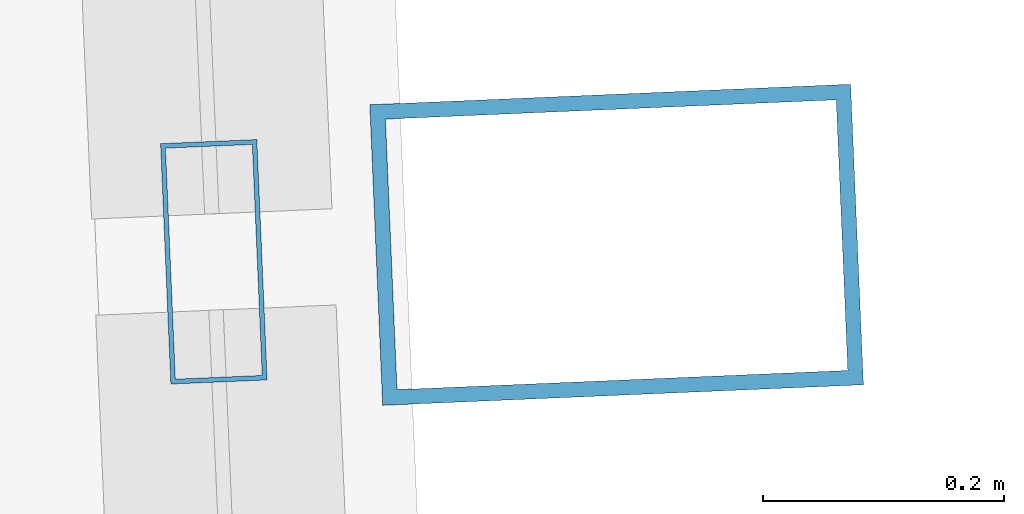
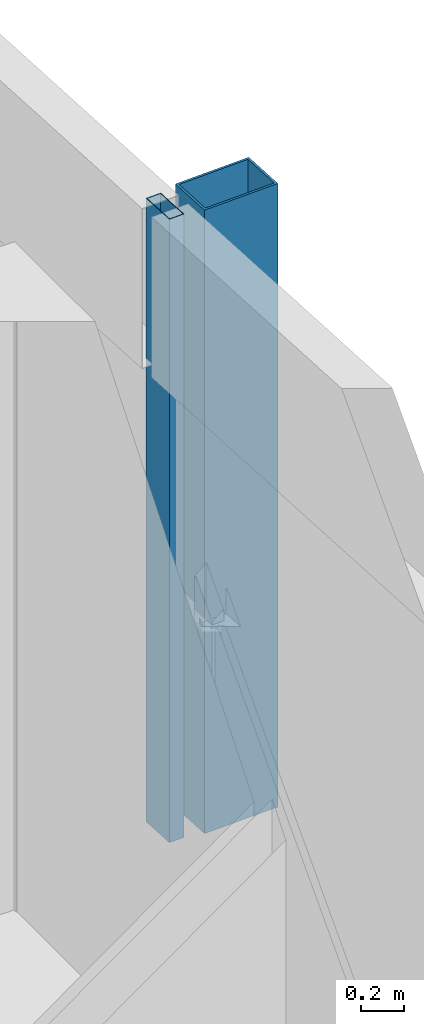
# One storey, part 29 of 45: 2 members, 1 element without a shape of its own.
"""IFC4 building model written with IfcOpenShell, lengths in metres."""

from ifc_helpers import new_model, si_unit, direction, frame, origin, origin_2d, place, context, subcontext, project, spatial, hollow_rectangle, extrude, material, material_profile, profile_set, type_object, element, aggregate, save


model = new_model("IFC4")

# Units and contexts
model_context = context("Model", 3, precision=1e-05, world=origin(), true_north=direction((0.0, 1.0)))
body_context = subcontext(model_context, "Body", "Model", "MODEL_VIEW")
ifc_project = project(units=[si_unit("LENGTHUNIT", "METRE"), si_unit("AREAUNIT", "SQUARE_METRE"), si_unit("VOLUMEUNIT", "CUBIC_METRE"), si_unit("PLANEANGLEUNIT", "RADIAN"), si_unit("MASSUNIT", "GRAM", prefix="KILO")], contexts=[model_context])

# Site, building, storey
site_placement = place(None, origin())
site = spatial("IfcSite", under=ifc_project, at=site_placement, CompositionType="ELEMENT")
building_placement = place(site_placement, origin())
building = spatial("IfcBuilding", under=site, at=building_placement, Name="Rekha Terrace Tower", CompositionType="ELEMENT")
storey_placement = place(building_placement, frame((0.0, 0.0, 32.89990234375)))
storey = spatial("IfcBuildingStorey", under=building, at=storey_placement, Name="L07", CompositionType="ELEMENT", Elevation=32.89990234375)

# Curtain wall, members
ifc_material_1 = material(Name="Aluminium framing", Category="aluminium")
curtain_wall_type = type_object("IfcCurtainWallType", Name="CW2 double skin outer glazing", PredefinedType="USERDEFINED", material=ifc_material_1)
curtain_wall_placement = place(storey_placement, origin())
curtain_wall = element("IfcCurtainWall", 1, at=curtain_wall_placement, inside=storey, type_object=curtain_wall_type, Name="CW2 double skin outer glazing", ObjectType="DOUBLE SKIN OUTER GLAZING", PredefinedType="USERDEFINED")
ifc_material_2 = material(Name="Steel S355 with fluorocarbon finish", Category="steel")
ifc_material_profile_1 = material_profile(ifc_material_2, hollow_rectangle(XDim=0.25, YDim=0.39990234375, WallThickness=0.012451171875, at=origin_2d()), Name="RHS400x250x12.5")
ifc_profile_set_1 = profile_set([ifc_material_profile_1], Name="Steel S355 with fluorocarbon finish")
member_type_1 = type_object("IfcMemberType", Name="BL1 facade blade RHS 400 x 250", PredefinedType="USERDEFINED", material=ifc_profile_set_1)
member_1_placement = place(storey_placement, frame((69.554443359375, 51.724609375, 0.0), z_axis=(0.0, 0.0, 1.0), x_axis=(-0.04269522475, 0.99908814315, 0.0)))
member_1 = element("IfcMember", 2, at=member_1_placement, type_object=member_type_1, Name="Facade blade", ObjectType="FACADE BLADE", PredefinedType="USERDEFINED", context=body_context, shape_type="SweptSolid", body=[
    extrude(hollow_rectangle(XDim=0.25, YDim=0.39990234375, WallThickness=0.012451171875, at=origin_2d()), origin(), (0.0, 0.0, 1.0), 3.5),
])
ifc_material_3 = material(Name="Aluminium mullion section", Category="aluminium")
ifc_material_profile_2 = material_profile(ifc_material_3, hollow_rectangle(XDim=0.080078125, YDim=0.199951171875, WallThickness=0.00390625, at=origin_2d()), Name="AL RHS 80x200")
ifc_profile_set_2 = profile_set([ifc_material_profile_2], Name="Aluminium mullion section")
member_type_2 = type_object("IfcMemberType", Name="CW2 mullion RHS 80 x 200", PredefinedType="MULLION", material=ifc_profile_set_2)
member_2_placement = place(storey_placement, frame((69.2197265625, 51.71044921875, 0.0), z_axis=(0.0, 0.0, 1.0), x_axis=(-0.999088106903, -0.042696072956, 0.0)))
member_2 = element("IfcMember", 3, at=member_2_placement, type_object=member_type_2, Name="CW2 mullion 4", PredefinedType="MULLION", context=body_context, shape_type="SweptSolid", body=[
    extrude(hollow_rectangle(XDim=0.080078125, YDim=0.199951171875, WallThickness=0.00390625, at=origin_2d()), origin(), (0.0, 0.0, 1.0), 3.5),
])
aggregate(curtain_wall, [member_2, member_1])

save(model, "model.ifc")
